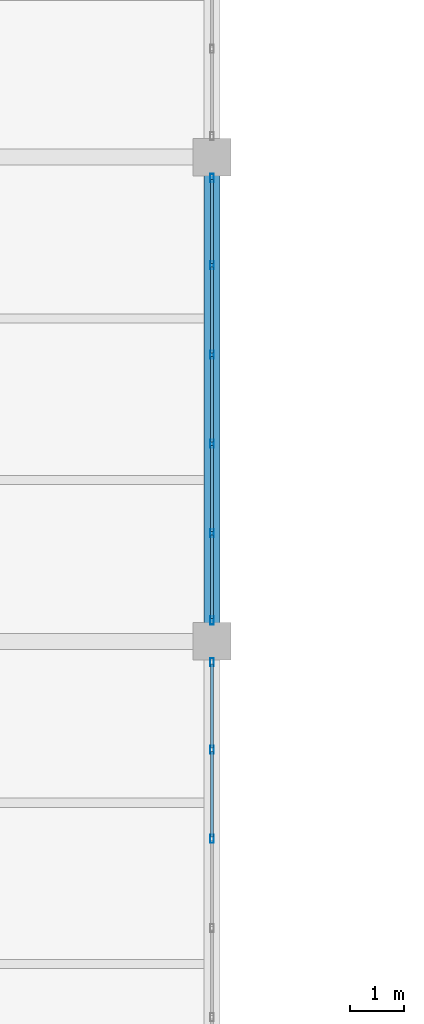
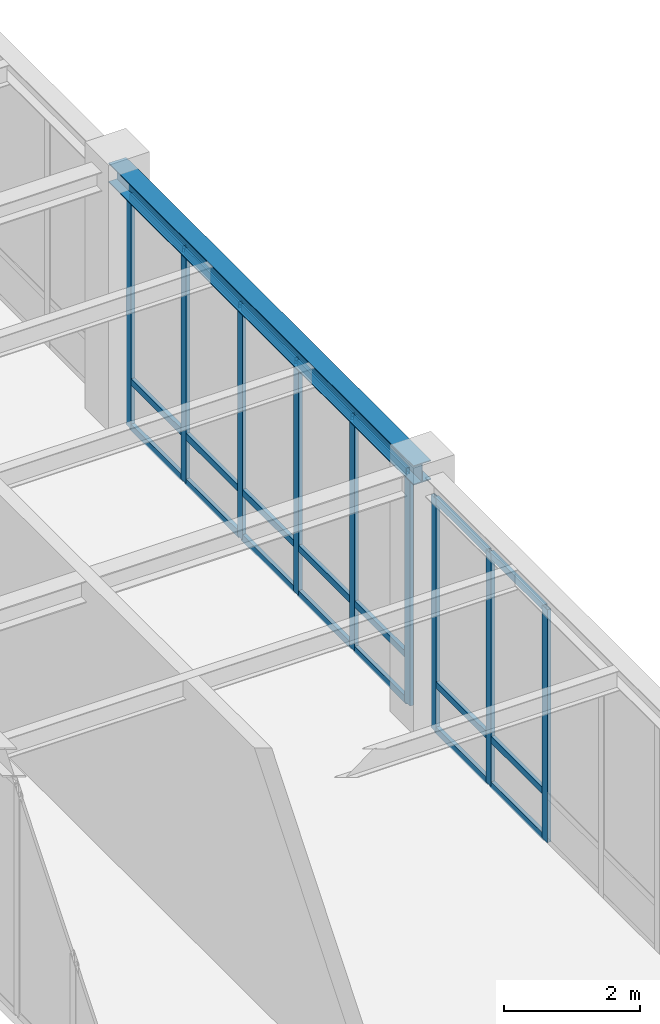
# One storey, part 52 of 92: 30 members, 1 beam, 2 elements without a shape of their own.
"""IFC4 building model written with IfcOpenShell, lengths in metres."""

import ifcopenshell
import ifcopenshell.guid

model = None  # the IFC model being written
_history = None  # IfcOwnerHistory: only IFC2X3 demands one
_inside = {}  # id of a spatial element -> (the spatial element, [elements in it])
_under = {}  # id of a project, library or spatial element -> (it, [spatial elements below it])
_declared = {}  # id of a project -> (the project, [libraries it declares])
_typed = {}  # id of a type object -> (the type object, [elements of that type])
_made_of = {}  # id of a material, layer set ... -> (it, [elements and type objects made of it])


def new_model(schema):
    """Start an empty IFC model of exactly this schema.

    Asked for "IFC4X3", IfcOpenShell would pick the latest addendum, in which some entities
    have other attributes; the version numbers below select the first issue.
    IFC2X3 requires an IfcOwnerHistory on every rooted entity: one is made here for all.
    """
    global model, _history
    if schema == "IFC4X3":
        model = ifcopenshell.file(schema_version=(4, 3, 0, 0))
    else:
        model = ifcopenshell.file(schema=schema)
    _inside.clear()
    _under.clear()
    _declared.clear()
    _typed.clear()
    _made_of.clear()
    _history = None
    if model.schema == "IFC2X3":
        org = make("IfcOrganization", Name="unknown")
        user = make(
            "IfcPersonAndOrganization",
            ThePerson=make("IfcPerson", FamilyName="unknown"),
            TheOrganization=org,
        )
        app = make(
            "IfcApplication",
            ApplicationDeveloper=org,
            Version="unknown",
            ApplicationFullName="unknown",
            ApplicationIdentifier="unknown",
        )
        _history = make(
            "IfcOwnerHistory",
            OwningUser=user,
            OwningApplication=app,
            ChangeAction="ADDED",
            CreationDate=0,
        )
    return model


def make(cls, **values):
    """One entity of the class cls with the attributes given. An attribute that is None is left unset."""
    return model.create_entity(
        cls, **{name: value for name, value in values.items() if value is not None}
    )


def rooted(cls, **values):
    """An entity with a GlobalId (a new one), such as an element, a storey or a relation."""
    return make(cls, GlobalId=ifcopenshell.guid.new(), OwnerHistory=_history, **values)


def si_unit(unit_type, name, prefix=None):
    """IfcSIUnit, for example si_unit("LENGTHUNIT", "METRE", prefix="MILLI")."""
    return make("IfcSIUnit", UnitType=unit_type, Prefix=prefix, Name=name)


def assignment(units):
    """IfcUnitAssignment: the units of a project."""
    return None if units is None else make("IfcUnitAssignment", Units=units)


def point(xyz):
    """IfcCartesianPoint."""
    return None if xyz is None else make("IfcCartesianPoint", Coordinates=xyz)


def direction(xyz):
    """IfcDirection."""
    return None if xyz is None else make("IfcDirection", DirectionRatios=xyz)


def frame(location, z_axis=None, x_axis=None):
    """IfcAxis2Placement3D, a coordinate frame: its origin and axes. An axis left out is left unset."""
    return make(
        "IfcAxis2Placement3D",
        Location=point(location),
        Axis=direction(z_axis),
        RefDirection=direction(x_axis),
    )


def frame_2d(location, x_axis=None):
    """IfcAxis2Placement2D, a coordinate frame in the plane: its origin and x axis."""
    return make(
        "IfcAxis2Placement2D", Location=point(location), RefDirection=direction(x_axis)
    )


def origin():
    """The frame at (0, 0, 0) with its axes left unset."""
    return frame((0.0, 0.0, 0.0))


def origin_2d():
    """The frame at (0, 0) in the plane with its x axis left unset."""
    return frame_2d((0.0, 0.0))


def place(relative_to, where):
    """IfcLocalPlacement: puts the frame where relative to a parent placement (None: the world)."""
    return make(
        "IfcLocalPlacement", PlacementRelTo=relative_to, RelativePlacement=where
    )


def context(
    kind, dimensions, precision=None, world=None, true_north=None, identifier=None
):
    """IfcGeometricRepresentationContext, for example the 3D "Model" context."""
    return make(
        "IfcGeometricRepresentationContext",
        ContextIdentifier=identifier,
        ContextType=kind,
        CoordinateSpaceDimension=dimensions,
        Precision=precision,
        WorldCoordinateSystem=world,
        TrueNorth=true_north,
    )


def subcontext(parent, identifier, kind, view, scale=None):
    """IfcGeometricRepresentationSubContext, for example "Body" below "Model"."""
    return make(
        "IfcGeometricRepresentationSubContext",
        ContextIdentifier=identifier,
        ContextType=kind,
        ParentContext=parent,
        TargetScale=scale,
        TargetView=view,
    )


def project(units=None, contexts=None):
    """IfcProject with its units and contexts."""
    return rooted(
        "IfcProject",
        Name="project",
        RepresentationContexts=contexts,
        UnitsInContext=assignment(units),
    )


def spatial(cls, under=None, at=None, **own):
    """A site, building, storey or space (cls), placed at a placement, below another one or the project."""
    s = rooted(cls, ObjectPlacement=at, **own)
    if under is not None:
        _under.setdefault(under.id(), (under, []))[1].append(s)
    return s


def profile(cls, at=None, kind="AREA", **sizes):
    """A parametric profile (cls). Its sizes go by their IFC names, for example OverallWidth=200.0."""
    return make(cls, ProfileType=kind, Position=at, **sizes)


def hollow_rectangle(**sizes):
    """IfcRectangleHollowProfileDef."""
    return profile("IfcRectangleHollowProfileDef", **sizes)


def i_section(**sizes):
    """IfcIShapeProfileDef."""
    return profile("IfcIShapeProfileDef", **sizes)


def extrude(swept, where, along, depth):
    """IfcExtrudedAreaSolid: the profile swept, set in the frame where, extruded along a direction by depth."""
    return make(
        "IfcExtrudedAreaSolid",
        SweptArea=swept,
        Position=where,
        ExtrudedDirection=direction(along),
        Depth=depth,
    )


def shape(context_of_items, identifier, shape_type, items):
    """IfcShapeRepresentation: the items that make up one representation, for example the "Body"."""
    return make(
        "IfcShapeRepresentation",
        ContextOfItems=context_of_items,
        RepresentationIdentifier=identifier,
        RepresentationType=shape_type,
        Items=items,
    )


def material(Name=None, Category=None):
    """IfcMaterial."""
    return make("IfcMaterial", Name=Name, Category=Category)


def material_profile(
    of_material, cross_section, Name=None, Category=None, Priority=None
):
    """IfcMaterialProfile: a cross section and its material."""
    return make(
        "IfcMaterialProfile",
        Name=Name,
        Material=of_material,
        Profile=cross_section,
        Priority=Priority,
        Category=Category,
    )


def profile_set(profiles, Name=None, composite=None):
    """IfcMaterialProfileSet."""
    return make(
        "IfcMaterialProfileSet",
        Name=Name,
        MaterialProfiles=profiles,
        CompositeProfile=composite,
    )


def made_of(thing, what):
    """Note that an element or type object is made of a material, layer set ...; save() writes the relation."""
    if what is not None:
        _made_of.setdefault(what.id(), (what, []))[1].append(thing)
    return thing


def type_object(cls, material=None, **own):
    """A type object (cls), such as IfcWallType, which elements share."""
    return made_of(rooted(cls, **own), material)


def element(
    cls,
    number,
    at=None,
    inside=None,
    cuts=None,
    type_object=None,
    material=None,
    context=None,
    identifier="Body",
    shape_type=None,
    held_by="IfcProductDefinitionShape",
    body=None,
    shapes=None,
    **own,
):
    """One element of the class cls, such as IfcWall. Its Tag is "e" and its number.

    at: its placement. inside: the storey or other place that contains it. cuts: it is an
    opening in that element (IfcRelVoidsElement). A single representation is given by context,
    identifier, shape_type and body (its items); several are given by shapes. held_by: the class
    of the entity that holds the representations. save() writes the other relations.
    """
    e = rooted(cls, Tag="e%d" % number, ObjectPlacement=at, **own)
    if body is not None:
        shapes = [shape(context, identifier, shape_type, body)]
    if shapes is not None:
        e.Representation = make(held_by, Representations=shapes)
    if inside is not None:
        _inside.setdefault(inside.id(), (inside, []))[1].append(e)
    if cuts is not None:
        rooted(
            "IfcRelVoidsElement", RelatingBuildingElement=cuts, RelatedOpeningElement=e
        )
    if type_object is not None:
        _typed.setdefault(type_object.id(), (type_object, []))[1].append(e)
    return made_of(e, material)


def aggregate(whole, parts):
    """IfcRelAggregates: a whole, such as a stair, and the parts it consists of."""
    return rooted("IfcRelAggregates", RelatingObject=whole, RelatedObjects=parts)


def save(model, path):
    """Write the relations noted so far, then the file.

    IfcRelAggregates (storeys below a building ...), IfcRelContainedInSpatialStructure (elements
    in a storey), IfcRelDefinesByType, IfcRelAssociatesMaterial and IfcRelDeclares: one each for
    every whole, place, type object, material and project.
    """
    for whole, parts in _under.values():
        aggregate(whole, parts)
    for where, things in _inside.values():
        rooted(
            "IfcRelContainedInSpatialStructure",
            RelatedElements=things,
            RelatingStructure=where,
        )
    for kind, things in _typed.values():
        rooted("IfcRelDefinesByType", RelatedObjects=things, RelatingType=kind)
    for what, things in _made_of.values():
        rooted("IfcRelAssociatesMaterial", RelatedObjects=things, RelatingMaterial=what)
    for by, libraries in _declared.values():
        rooted("IfcRelDeclares", RelatingContext=by, RelatedDefinitions=libraries)
    model.write(path)


model = new_model("IFC4")

# Units and contexts
model_context = context("Model", 3, precision=1e-05, world=origin(), true_north=direction((0.0, 1.0)))
body_context = subcontext(model_context, "Body", "Model", "MODEL_VIEW")
ifc_project = project(units=[si_unit("LENGTHUNIT", "METRE"), si_unit("AREAUNIT", "SQUARE_METRE"), si_unit("VOLUMEUNIT", "CUBIC_METRE"), si_unit("PLANEANGLEUNIT", "RADIAN"), si_unit("MASSUNIT", "GRAM", prefix="KILO")], contexts=[model_context])

# Site, building, storey
site_placement = place(None, origin())
site = spatial("IfcSite", under=ifc_project, at=site_placement, CompositionType="ELEMENT")
building_placement = place(site_placement, origin())
building = spatial("IfcBuilding", under=site, at=building_placement, Name="Lykobir Media Centre", CompositionType="ELEMENT")
storey_placement = place(building_placement, frame((0.0, 0.0, 5.39990234375)))
storey = spatial("IfcBuildingStorey", under=building, at=storey_placement, Name="L01", CompositionType="ELEMENT", Elevation=5.39990234375)

# Beam
ifc_material_1 = material(Name="Steel S355", Category="steel")
ifc_material_profile_1 = material_profile(ifc_material_1, i_section(OverallWidth=0.300048828125, OverallDepth=0.35009765625, WebThickness=0.010009765625, FlangeThickness=0.017578125, at=origin_2d()), Name="HEA 360")
ifc_profile_set_1 = profile_set([ifc_material_profile_1], Name="Steel S355")
beam_type = type_object("IfcBeamType", Name="BM-HEA360", PredefinedType="BEAM", material=ifc_profile_set_1)
beam_placement = place(storey_placement, frame((99.0, 36.0, 4.385009765625), z_axis=(0.0, 1.0, 0.0), x_axis=(-1.0, 0.0, 0.0)))
element("IfcBeam", 1, at=beam_placement, inside=storey, type_object=beam_type, Name="Beam BM-L01-0990-0360-0990-0450-978", PredefinedType="BEAM", context=body_context, shape_type="SweptSolid", body=[
    extrude(i_section(OverallWidth=0.300048828125, OverallDepth=0.35009765625, WebThickness=0.010009765625, FlangeThickness=0.017578125, at=origin_2d()), origin(), (0.0, 0.0, 1.0), 9.0),
])

# Curtain wall, members
ifc_material_2 = material(Name="Anodized Aluminium AW-6060", Category="aluminium")
curtain_wall_type = type_object("IfcCurtainWallType", Name="CW-COURT-A", PredefinedType="NOTDEFINED", material=ifc_material_2)
curtain_wall_1_placement = place(storey_placement, origin())
curtain_wall_1 = element("IfcCurtainWall", 2, at=curtain_wall_1_placement, inside=storey, type_object=curtain_wall_type, Name="Curtain wall CW2-L01-0032", PredefinedType="NOTDEFINED")
ifc_material_profile_2 = material_profile(ifc_material_2, hollow_rectangle(XDim=0.06494140625, YDim=0.14990234375, WallThickness=0.00341796875, at=origin_2d()), Name="ALU MULLION 65x150")
ifc_profile_set_2 = profile_set([ifc_material_profile_2], Name="Anodized Aluminium AW-6060")
member_type_1 = type_object("IfcMemberType", Name="CWM-150", PredefinedType="MULLION", material=ifc_profile_set_2)
member_1_placement = place(storey_placement, frame((99.0, 35.612548828125, 0.0), z_axis=(0.0, 0.0, 1.0), x_axis=(1.0, 0.0, 0.0)))
member_1 = element("IfcMember", 3, at=member_1_placement, type_object=member_type_1, Name="CW2-L01-0032 mullion 1", PredefinedType="MULLION", context=body_context, shape_type="SweptSolid", body=[
    extrude(hollow_rectangle(XDim=0.06494140625, YDim=0.14990234375, WallThickness=0.00341796875, at=origin_2d()), origin(), (0.0, 0.0, 1.0), 4.195068359375),
])
member_2_placement = place(storey_placement, frame((99.0, 33.987060546875, 0.0), z_axis=(0.0, 0.0, 1.0), x_axis=(1.0, 0.0, 0.0)))
member_2 = element("IfcMember", 4, at=member_2_placement, type_object=member_type_1, Name="CW2-L01-0032 mullion 2", PredefinedType="MULLION", context=body_context, shape_type="SweptSolid", body=[
    extrude(hollow_rectangle(XDim=0.06494140625, YDim=0.14990234375, WallThickness=0.00341796875, at=origin_2d()), origin(), (0.0, 0.0, 1.0), 4.195068359375),
])
member_3_placement = place(storey_placement, frame((99.0, 32.3291015625, 0.0), z_axis=(0.0, 0.0, 1.0), x_axis=(1.0, 0.0, 0.0)))
member_3 = element("IfcMember", 5, at=member_3_placement, type_object=member_type_1, Name="CW2-L01-0032 mullion 3", PredefinedType="MULLION", context=body_context, shape_type="SweptSolid", body=[
    extrude(hollow_rectangle(XDim=0.06494140625, YDim=0.14990234375, WallThickness=0.00341796875, at=origin_2d()), origin(), (0.0, 0.0, 1.0), 4.195068359375),
])

curtain_wall_2_placement = place(storey_placement, origin())
curtain_wall_2 = element("IfcCurtainWall", 6, at=curtain_wall_2_placement, inside=storey, type_object=curtain_wall_type, Name="Curtain wall CW2-L01-0033", PredefinedType="NOTDEFINED")
member_4_placement = place(storey_placement, frame((99.0, 44.612548828125, 0.0), z_axis=(0.0, 0.0, 1.0), x_axis=(1.0, 0.0, 0.0)))
member_4 = element("IfcMember", 7, at=member_4_placement, type_object=member_type_1, Name="CW2-L01-0033 mullion 1", PredefinedType="MULLION", context=body_context, shape_type="SweptSolid", body=[
    extrude(hollow_rectangle(XDim=0.06494140625, YDim=0.14990234375, WallThickness=0.00341796875, at=origin_2d()), origin(), (0.0, 0.0, 1.0), 4.195068359375),
])
member_5_placement = place(storey_placement, frame((99.0, 42.987060546875, 0.0), z_axis=(0.0, 0.0, 1.0), x_axis=(1.0, 0.0, 0.0)))
member_5 = element("IfcMember", 8, at=member_5_placement, type_object=member_type_1, Name="CW2-L01-0033 mullion 2", PredefinedType="MULLION", context=body_context, shape_type="SweptSolid", body=[
    extrude(hollow_rectangle(XDim=0.06494140625, YDim=0.14990234375, WallThickness=0.00341796875, at=origin_2d()), origin(), (0.0, 0.0, 1.0), 4.195068359375),
])
member_6_placement = place(storey_placement, frame((99.0, 41.3291015625, 0.0), z_axis=(0.0, 0.0, 1.0), x_axis=(1.0, 0.0, 0.0)))
member_6 = element("IfcMember", 9, at=member_6_placement, type_object=member_type_1, Name="CW2-L01-0033 mullion 3", PredefinedType="MULLION", context=body_context, shape_type="SweptSolid", body=[
    extrude(hollow_rectangle(XDim=0.06494140625, YDim=0.14990234375, WallThickness=0.00341796875, at=origin_2d()), origin(), (0.0, 0.0, 1.0), 4.195068359375),
])
member_7_placement = place(storey_placement, frame((99.0, 39.6708984375, 0.0), z_axis=(0.0, 0.0, 1.0), x_axis=(1.0, 0.0, 0.0)))
member_7 = element("IfcMember", 10, at=member_7_placement, type_object=member_type_1, Name="CW2-L01-0033 mullion 4", PredefinedType="MULLION", context=body_context, shape_type="SweptSolid", body=[
    extrude(hollow_rectangle(XDim=0.06494140625, YDim=0.14990234375, WallThickness=0.00341796875, at=origin_2d()), origin(), (0.0, 0.0, 1.0), 4.195068359375),
])
member_8_placement = place(storey_placement, frame((99.0, 38.012939453125, 0.0), z_axis=(0.0, 0.0, 1.0), x_axis=(1.0, 0.0, 0.0)))
member_8 = element("IfcMember", 11, at=member_8_placement, type_object=member_type_1, Name="CW2-L01-0033 mullion 5", PredefinedType="MULLION", context=body_context, shape_type="SweptSolid", body=[
    extrude(hollow_rectangle(XDim=0.06494140625, YDim=0.14990234375, WallThickness=0.00341796875, at=origin_2d()), origin(), (0.0, 0.0, 1.0), 4.195068359375),
])
member_9_placement = place(storey_placement, frame((99.0, 36.387451171875, 0.0), z_axis=(0.0, 0.0, 1.0), x_axis=(1.0, 0.0, 0.0)))
member_9 = element("IfcMember", 12, at=member_9_placement, type_object=member_type_1, Name="CW2-L01-0033 mullion 6", PredefinedType="MULLION", context=body_context, shape_type="SweptSolid", body=[
    extrude(hollow_rectangle(XDim=0.06494140625, YDim=0.14990234375, WallThickness=0.00341796875, at=origin_2d()), origin(), (0.0, 0.0, 1.0), 4.195068359375),
])

# Member
ifc_material_profile_3 = material_profile(ifc_material_2, hollow_rectangle(XDim=0.06494140625, YDim=0.1201171875, WallThickness=0.0029296875, at=origin_2d()), Name="ALU TRANSOM 65x120")
ifc_profile_set_3 = profile_set([ifc_material_profile_3], Name="Anodized Aluminium AW-6060")
member_type_2 = type_object("IfcMemberType", Name="CWT-120", PredefinedType="USERDEFINED", material=ifc_profile_set_3)
member_10_placement = place(storey_placement, frame((99.0, 35.580078125, 0.03271484375), z_axis=(0.0, -1.0, 0.0), x_axis=(1.0, 0.0, 0.0)))
member_10 = element("IfcMember", 13, at=member_10_placement, type_object=member_type_2, Name="CW2-L01-0032 transom 1.1", ObjectType="TRANSOM", PredefinedType="USERDEFINED", context=body_context, shape_type="SweptSolid", body=[
    extrude(hollow_rectangle(XDim=0.06494140625, YDim=0.1201171875, WallThickness=0.0029296875, at=origin_2d()), origin(), (0.0, 0.0, 1.0), 1.560546875),
])

member_11_placement = place(storey_placement, frame((99.0, 35.580078125, 0.85009765625), z_axis=(0.0, -1.0, 0.0), x_axis=(1.0, 0.0, 0.0)))
member_11 = element("IfcMember", 14, at=member_11_placement, type_object=member_type_2, Name="CW2-L01-0032 transom 1.2", ObjectType="TRANSOM", PredefinedType="USERDEFINED", context=body_context, shape_type="SweptSolid", body=[
    extrude(hollow_rectangle(XDim=0.06494140625, YDim=0.1201171875, WallThickness=0.0029296875, at=origin_2d()), origin(), (0.0, 0.0, 1.0), 1.560546875),
])

member_12_placement = place(storey_placement, frame((99.0, 35.580078125, 4.16259765625), z_axis=(0.0, -1.0, 0.0), x_axis=(1.0, 0.0, 0.0)))
member_12 = element("IfcMember", 15, at=member_12_placement, type_object=member_type_2, Name="CW2-L01-0032 transom 1.3", ObjectType="TRANSOM", PredefinedType="USERDEFINED", context=body_context, shape_type="SweptSolid", body=[
    extrude(hollow_rectangle(XDim=0.06494140625, YDim=0.1201171875, WallThickness=0.0029296875, at=origin_2d()), origin(), (0.0, 0.0, 1.0), 1.560546875),
])

member_13_placement = place(storey_placement, frame((99.0, 33.95458984375, 0.03271484375), z_axis=(0.0, -1.0, 0.0), x_axis=(1.0, 0.0, 0.0)))
member_13 = element("IfcMember", 16, at=member_13_placement, type_object=member_type_2, Name="CW2-L01-0032 transom 2.1", ObjectType="TRANSOM", PredefinedType="USERDEFINED", context=body_context, shape_type="SweptSolid", body=[
    extrude(hollow_rectangle(XDim=0.06494140625, YDim=0.1201171875, WallThickness=0.0029296875, at=origin_2d()), origin(), (0.0, 0.0, 1.0), 1.593017578125),
])

member_14_placement = place(storey_placement, frame((99.0, 33.95458984375, 0.85009765625), z_axis=(0.0, -1.0, 0.0), x_axis=(1.0, 0.0, 0.0)))
member_14 = element("IfcMember", 17, at=member_14_placement, type_object=member_type_2, Name="CW2-L01-0032 transom 2.2", ObjectType="TRANSOM", PredefinedType="USERDEFINED", context=body_context, shape_type="SweptSolid", body=[
    extrude(hollow_rectangle(XDim=0.06494140625, YDim=0.1201171875, WallThickness=0.0029296875, at=origin_2d()), origin(), (0.0, 0.0, 1.0), 1.593017578125),
])

member_15_placement = place(storey_placement, frame((99.0, 33.95458984375, 4.16259765625), z_axis=(0.0, -1.0, 0.0), x_axis=(1.0, 0.0, 0.0)))
member_15 = element("IfcMember", 18, at=member_15_placement, type_object=member_type_2, Name="CW2-L01-0032 transom 2.3", ObjectType="TRANSOM", PredefinedType="USERDEFINED", context=body_context, shape_type="SweptSolid", body=[
    extrude(hollow_rectangle(XDim=0.06494140625, YDim=0.1201171875, WallThickness=0.0029296875, at=origin_2d()), origin(), (0.0, 0.0, 1.0), 1.593017578125),
])

aggregate(curtain_wall_1, [member_1, member_2, member_3, member_10, member_11, member_12, member_13, member_14, member_15])

member_16_placement = place(storey_placement, frame((99.0, 44.580078125, 0.03271484375), z_axis=(0.0, -1.0, 0.0), x_axis=(1.0, 0.0, 0.0)))
member_16 = element("IfcMember", 19, at=member_16_placement, type_object=member_type_2, Name="CW2-L01-0033 transom 1.1", ObjectType="TRANSOM", PredefinedType="USERDEFINED", context=body_context, shape_type="SweptSolid", body=[
    extrude(hollow_rectangle(XDim=0.06494140625, YDim=0.1201171875, WallThickness=0.0029296875, at=origin_2d()), origin(), (0.0, 0.0, 1.0), 1.560546875),
])

member_17_placement = place(storey_placement, frame((99.0, 44.580078125, 0.85009765625), z_axis=(0.0, -1.0, 0.0), x_axis=(1.0, 0.0, 0.0)))
member_17 = element("IfcMember", 20, at=member_17_placement, type_object=member_type_2, Name="CW2-L01-0033 transom 1.2", ObjectType="TRANSOM", PredefinedType="USERDEFINED", context=body_context, shape_type="SweptSolid", body=[
    extrude(hollow_rectangle(XDim=0.06494140625, YDim=0.1201171875, WallThickness=0.0029296875, at=origin_2d()), origin(), (0.0, 0.0, 1.0), 1.560546875),
])

member_18_placement = place(storey_placement, frame((99.0, 44.580078125, 4.16259765625), z_axis=(0.0, -1.0, 0.0), x_axis=(1.0, 0.0, 0.0)))
member_18 = element("IfcMember", 21, at=member_18_placement, type_object=member_type_2, Name="CW2-L01-0033 transom 1.3", ObjectType="TRANSOM", PredefinedType="USERDEFINED", context=body_context, shape_type="SweptSolid", body=[
    extrude(hollow_rectangle(XDim=0.06494140625, YDim=0.1201171875, WallThickness=0.0029296875, at=origin_2d()), origin(), (0.0, 0.0, 1.0), 1.560546875),
])

member_19_placement = place(storey_placement, frame((99.0, 42.95458984375, 0.03271484375), z_axis=(0.0, -1.0, 0.0), x_axis=(1.0, 0.0, 0.0)))
member_19 = element("IfcMember", 22, at=member_19_placement, type_object=member_type_2, Name="CW2-L01-0033 transom 2.1", ObjectType="TRANSOM", PredefinedType="USERDEFINED", context=body_context, shape_type="SweptSolid", body=[
    extrude(hollow_rectangle(XDim=0.06494140625, YDim=0.1201171875, WallThickness=0.0029296875, at=origin_2d()), origin(), (0.0, 0.0, 1.0), 1.593017578125),
])

member_20_placement = place(storey_placement, frame((99.0, 42.95458984375, 0.85009765625), z_axis=(0.0, -1.0, 0.0), x_axis=(1.0, 0.0, 0.0)))
member_20 = element("IfcMember", 23, at=member_20_placement, type_object=member_type_2, Name="CW2-L01-0033 transom 2.2", ObjectType="TRANSOM", PredefinedType="USERDEFINED", context=body_context, shape_type="SweptSolid", body=[
    extrude(hollow_rectangle(XDim=0.06494140625, YDim=0.1201171875, WallThickness=0.0029296875, at=origin_2d()), origin(), (0.0, 0.0, 1.0), 1.593017578125),
])

member_21_placement = place(storey_placement, frame((99.0, 42.95458984375, 4.16259765625), z_axis=(0.0, -1.0, 0.0), x_axis=(1.0, 0.0, 0.0)))
member_21 = element("IfcMember", 24, at=member_21_placement, type_object=member_type_2, Name="CW2-L01-0033 transom 2.3", ObjectType="TRANSOM", PredefinedType="USERDEFINED", context=body_context, shape_type="SweptSolid", body=[
    extrude(hollow_rectangle(XDim=0.06494140625, YDim=0.1201171875, WallThickness=0.0029296875, at=origin_2d()), origin(), (0.0, 0.0, 1.0), 1.593017578125),
])

member_22_placement = place(storey_placement, frame((99.0, 41.29638671875, 0.03271484375), z_axis=(0.0, -1.0, 0.0), x_axis=(1.0, 0.0, 0.0)))
member_22 = element("IfcMember", 25, at=member_22_placement, type_object=member_type_2, Name="CW2-L01-0033 transom 3.1", ObjectType="TRANSOM", PredefinedType="USERDEFINED", context=body_context, shape_type="SweptSolid", body=[
    extrude(hollow_rectangle(XDim=0.06494140625, YDim=0.1201171875, WallThickness=0.0029296875, at=origin_2d()), origin(), (0.0, 0.0, 1.0), 1.5927734375),
])

member_23_placement = place(storey_placement, frame((99.0, 41.29638671875, 0.85009765625), z_axis=(0.0, -1.0, 0.0), x_axis=(1.0, 0.0, 0.0)))
member_23 = element("IfcMember", 26, at=member_23_placement, type_object=member_type_2, Name="CW2-L01-0033 transom 3.2", ObjectType="TRANSOM", PredefinedType="USERDEFINED", context=body_context, shape_type="SweptSolid", body=[
    extrude(hollow_rectangle(XDim=0.06494140625, YDim=0.1201171875, WallThickness=0.0029296875, at=origin_2d()), origin(), (0.0, 0.0, 1.0), 1.5927734375),
])

member_24_placement = place(storey_placement, frame((99.0, 41.29638671875, 4.16259765625), z_axis=(0.0, -1.0, 0.0), x_axis=(1.0, 0.0, 0.0)))
member_24 = element("IfcMember", 27, at=member_24_placement, type_object=member_type_2, Name="CW2-L01-0033 transom 3.3", ObjectType="TRANSOM", PredefinedType="USERDEFINED", context=body_context, shape_type="SweptSolid", body=[
    extrude(hollow_rectangle(XDim=0.06494140625, YDim=0.1201171875, WallThickness=0.0029296875, at=origin_2d()), origin(), (0.0, 0.0, 1.0), 1.5927734375),
])

member_25_placement = place(storey_placement, frame((99.0, 39.638427734375, 0.03271484375), z_axis=(0.0, -1.0, 0.0), x_axis=(1.0, 0.0, 0.0)))
member_25 = element("IfcMember", 28, at=member_25_placement, type_object=member_type_2, Name="CW2-L01-0033 transom 4.1", ObjectType="TRANSOM", PredefinedType="USERDEFINED", context=body_context, shape_type="SweptSolid", body=[
    extrude(hollow_rectangle(XDim=0.06494140625, YDim=0.1201171875, WallThickness=0.0029296875, at=origin_2d()), origin(), (0.0, 0.0, 1.0), 1.593017578125),
])

member_26_placement = place(storey_placement, frame((99.0, 39.638427734375, 0.85009765625), z_axis=(0.0, -1.0, 0.0), x_axis=(1.0, 0.0, 0.0)))
member_26 = element("IfcMember", 29, at=member_26_placement, type_object=member_type_2, Name="CW2-L01-0033 transom 4.2", ObjectType="TRANSOM", PredefinedType="USERDEFINED", context=body_context, shape_type="SweptSolid", body=[
    extrude(hollow_rectangle(XDim=0.06494140625, YDim=0.1201171875, WallThickness=0.0029296875, at=origin_2d()), origin(), (0.0, 0.0, 1.0), 1.593017578125),
])

member_27_placement = place(storey_placement, frame((99.0, 39.638427734375, 4.16259765625), z_axis=(0.0, -1.0, 0.0), x_axis=(1.0, 0.0, 0.0)))
member_27 = element("IfcMember", 30, at=member_27_placement, type_object=member_type_2, Name="CW2-L01-0033 transom 4.3", ObjectType="TRANSOM", PredefinedType="USERDEFINED", context=body_context, shape_type="SweptSolid", body=[
    extrude(hollow_rectangle(XDim=0.06494140625, YDim=0.1201171875, WallThickness=0.0029296875, at=origin_2d()), origin(), (0.0, 0.0, 1.0), 1.593017578125),
])

member_28_placement = place(storey_placement, frame((99.0, 37.98046875, 0.03271484375), z_axis=(0.0, -1.0, 0.0), x_axis=(1.0, 0.0, 0.0)))
member_28 = element("IfcMember", 31, at=member_28_placement, type_object=member_type_2, Name="CW2-L01-0033 transom 5.1", ObjectType="TRANSOM", PredefinedType="USERDEFINED", context=body_context, shape_type="SweptSolid", body=[
    extrude(hollow_rectangle(XDim=0.06494140625, YDim=0.1201171875, WallThickness=0.0029296875, at=origin_2d()), origin(), (0.0, 0.0, 1.0), 1.560546875),
])

member_29_placement = place(storey_placement, frame((99.0, 37.98046875, 0.85009765625), z_axis=(0.0, -1.0, 0.0), x_axis=(1.0, 0.0, 0.0)))
member_29 = element("IfcMember", 32, at=member_29_placement, type_object=member_type_2, Name="CW2-L01-0033 transom 5.2", ObjectType="TRANSOM", PredefinedType="USERDEFINED", context=body_context, shape_type="SweptSolid", body=[
    extrude(hollow_rectangle(XDim=0.06494140625, YDim=0.1201171875, WallThickness=0.0029296875, at=origin_2d()), origin(), (0.0, 0.0, 1.0), 1.560546875),
])

member_30_placement = place(storey_placement, frame((99.0, 37.98046875, 4.16259765625), z_axis=(0.0, -1.0, 0.0), x_axis=(1.0, 0.0, 0.0)))
member_30 = element("IfcMember", 33, at=member_30_placement, type_object=member_type_2, Name="CW2-L01-0033 transom 5.3", ObjectType="TRANSOM", PredefinedType="USERDEFINED", context=body_context, shape_type="SweptSolid", body=[
    extrude(hollow_rectangle(XDim=0.06494140625, YDim=0.1201171875, WallThickness=0.0029296875, at=origin_2d()), origin(), (0.0, 0.0, 1.0), 1.560546875),
])

aggregate(curtain_wall_2, [member_4, member_5, member_6, member_7, member_8, member_9, member_16, member_17, member_18, member_19, member_20, member_21, member_22, member_23, member_24, member_25, member_26, member_27, member_28, member_29, member_30])

save(model, "model.ifc")
